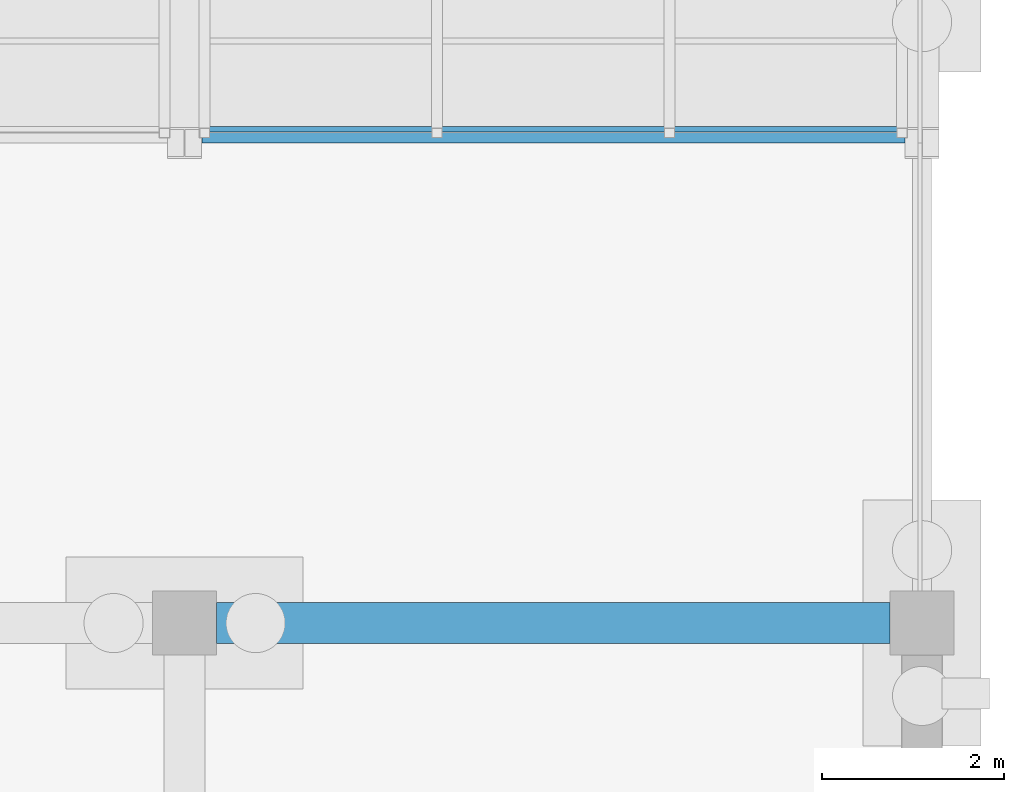
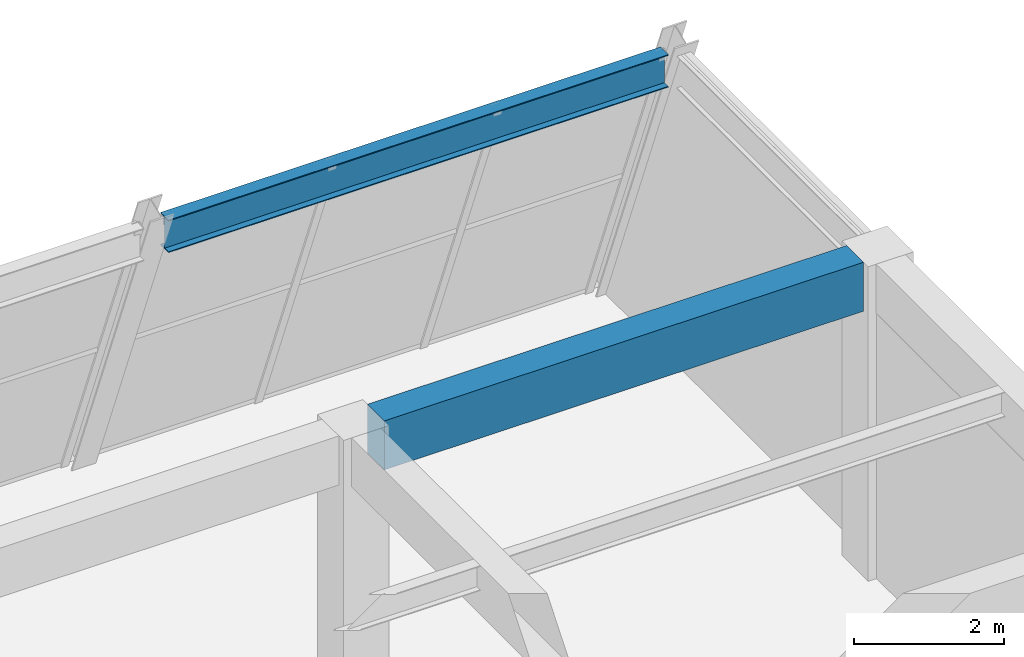
# One storey, part 108 of 140: 2 beams, 1 member, 1 element without a shape of its own.
"""IFC4 building model written with IfcOpenShell, lengths in metres."""

from ifc_helpers import new_model, si_unit, direction, frame, origin, origin_2d, place, context, subcontext, project, spatial, rectangle, hollow_rectangle, i_section, extrude, material, material_profile, profile_set, type_object, element, aggregate, save


model = new_model("IFC4")

# Units and contexts
model_context = context("Model", 3, precision=1e-05, world=origin(), true_north=direction((0.0, 1.0)))
body_context = subcontext(model_context, "Body", "Model", "MODEL_VIEW")
ifc_project = project(units=[si_unit("LENGTHUNIT", "METRE"), si_unit("AREAUNIT", "SQUARE_METRE"), si_unit("VOLUMEUNIT", "CUBIC_METRE"), si_unit("PLANEANGLEUNIT", "RADIAN"), si_unit("MASSUNIT", "GRAM", prefix="KILO")], contexts=[model_context])

# Site, building, storey
site_placement = place(None, origin())
site = spatial("IfcSite", under=ifc_project, at=site_placement, CompositionType="ELEMENT")
building_placement = place(site_placement, origin())
building = spatial("IfcBuilding", under=site, at=building_placement, Name="Cimatlan Art Gallery", CompositionType="ELEMENT")
storey_placement = place(building_placement, origin())
storey = spatial("IfcBuildingStorey", under=building, at=storey_placement, Name="L00", CompositionType="ELEMENT", Elevation=0.0)

# Beams
ifc_material_1 = material(Name="Concrete C40/50", Category="concrete")
ifc_material_profile_1 = material_profile(ifc_material_1, rectangle(XDim=0.449951171875, YDim=0.800048828125, at=origin_2d()), Name="RC450X800")
ifc_profile_set_1 = profile_set([ifc_material_profile_1], Name="Concrete C40/50")
beam_type_1 = type_object("IfcBeamType", Name="BM-RC-450X800", PredefinedType="BEAM", material=ifc_profile_set_1)
beam_1_placement = place(storey_placement, frame((156.25, 75.699951171875, 4.735107421875), z_axis=(1.0, 0.0, 0.0), x_axis=(0.0, 1.0, 0.0)))
element("IfcBeam", 1, at=beam_1_placement, inside=storey, type_object=beam_type_1, Name="BM-X-L00-19-10", PredefinedType="BEAM", context=body_context, shape_type="SweptSolid", body=[
    extrude(rectangle(XDim=0.449951171875, YDim=0.800048828125, at=origin_2d()), origin(), (0.0, 0.0, 1.0), 7.39990234375),
])
ifc_material_2 = material(Name="Steel ASTM A992 Grade 50", Category="steel")
ifc_material_profile_2 = material_profile(ifc_material_2, i_section(OverallWidth=0.2099609375, OverallDepth=0.532958984375, WebThickness=0.01025390625, FlangeThickness=0.015625, at=origin_2d()), Name="W21X62")
ifc_profile_set_2 = profile_set([ifc_material_profile_2], Name="Steel ASTM A992 Grade 50")
beam_type_2 = type_object("IfcBeamType", Name="BM-STL-W21X62", PredefinedType="BEAM", material=ifc_profile_set_2)
beam_2_placement = place(storey_placement, frame((156.090087890625, 81.077392578125, 4.868408203125), z_axis=(1.0, 0.0, 0.0), x_axis=(0.0, 1.0, 0.0)))
element("IfcBeam", 2, at=beam_2_placement, inside=storey, type_object=beam_type_2, Name="BM-PRW-X-L00-B5-19", PredefinedType="BEAM", context=body_context, shape_type="SweptSolid", body=[
    extrude(i_section(OverallWidth=0.2099609375, OverallDepth=0.532958984375, WebThickness=0.01025390625, FlangeThickness=0.015625, at=origin_2d()), origin(), (0.0, 0.0, 1.0), 7.719970703125),
])

# Curtain wall, member
ifc_material_3 = material(Name="Raked steel-and-bronze lancet curtain wall", Category="steel")
curtain_wall_type = type_object("IfcCurtainWallType", Name="CW-RAK-07660X05503-B3", PredefinedType="NOTDEFINED", material=ifc_material_3)
curtain_wall_placement = place(storey_placement, origin())
curtain_wall = element("IfcCurtainWall", 3, at=curtain_wall_placement, inside=storey, type_object=curtain_wall_type, Name="CW-PROW-L00-B5-19", PredefinedType="NOTDEFINED")
ifc_material_4 = material(Name="Anodised bronze aluminium 6063-T6", Category="aluminium")
ifc_material_profile_3 = material_profile(ifc_material_4, hollow_rectangle(XDim=0.06494140625, YDim=0.139892578125, WallThickness=0.00390625, at=origin_2d()), Name="ALU65X140X4")
ifc_profile_set_3 = profile_set([ifc_material_profile_3], Name="Anodised bronze aluminium 6063-T6")
member_type = type_object("IfcMemberType", Name="CW-TRN-140", PredefinedType="USERDEFINED", material=ifc_profile_set_3)
member_placement = place(storey_placement, frame((156.1201171875, 81.12353515625, 5.017578125), z_axis=(1.0, 0.0, 0.0), x_axis=(0.0, 1.0, 0.0)))
member = element("IfcMember", 4, at=member_placement, type_object=member_type, Name="CW-PROW-L00-B5-19-T3", ObjectType="TRANSOM", PredefinedType="USERDEFINED", context=body_context, shape_type="SweptSolid", body=[
    extrude(hollow_rectangle(XDim=0.06494140625, YDim=0.139892578125, WallThickness=0.00390625, at=origin_2d()), origin(), (0.0, 0.0, 1.0), 7.659912109375),
])
aggregate(curtain_wall, [member])

save(model, "model.ifc")
